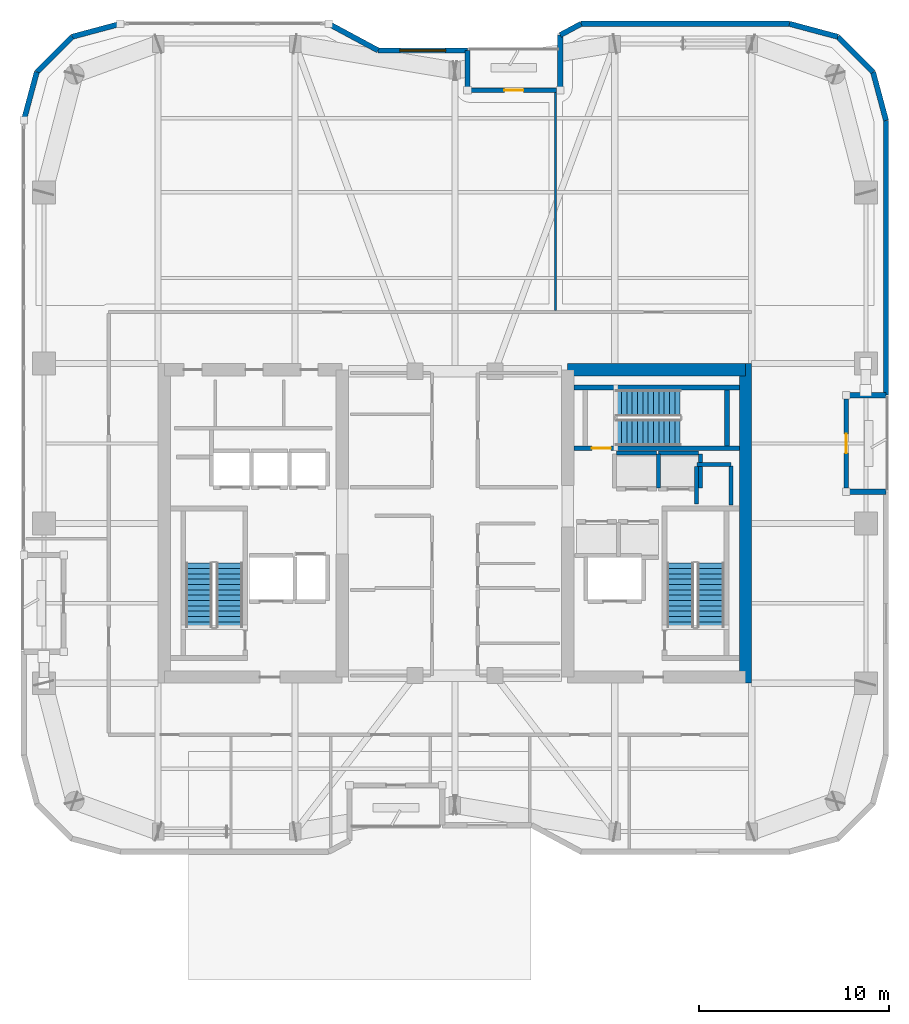
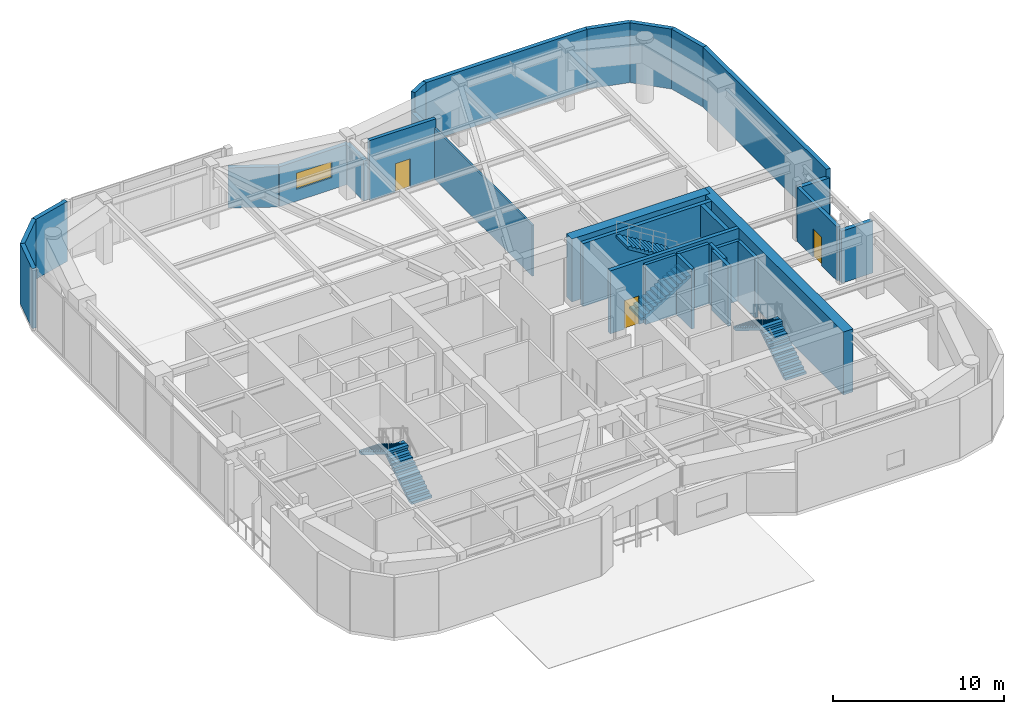
# One storey, part 14 of 18: 30 walls, 6 stair flights, 3 doors, 1 window, 4 openings, 3 elements without a shape of their own.
"""IFC4 building model written with IfcOpenShell, lengths in metres."""

from ifc_helpers import new_model, si_unit, direction, frame, frame_2d, origin, place, context, subcontext, project, spatial, polyline, rectangle, outline, extrude, material, layer, layer_set, type_object, element, fill, aggregate, save


model = new_model("IFC4")

# Units and contexts
model_context = context("Model", 3, precision=1e-05, world=origin(), true_north=direction((0.0, 1.0)))
body_context = subcontext(model_context, "Body", "Model", "MODEL_VIEW")
ifc_project = project(units=[si_unit("LENGTHUNIT", "METRE"), si_unit("AREAUNIT", "SQUARE_METRE"), si_unit("VOLUMEUNIT", "CUBIC_METRE"), si_unit("PLANEANGLEUNIT", "RADIAN"), si_unit("MASSUNIT", "GRAM", prefix="KILO")], contexts=[model_context])

# Site, building, storey
site_placement = place(None, origin())
site = spatial("IfcSite", under=ifc_project, at=site_placement, CompositionType="ELEMENT")
building_placement = place(site_placement, origin())
building = spatial("IfcBuilding", under=site, at=building_placement, Name="Kiyonajd Concourse Tower", CompositionType="ELEMENT")
storey_placement = place(building_placement, frame((0.0, 0.0, 214.800048828125)))
storey = spatial("IfcBuildingStorey", under=building, at=storey_placement, Name="L54", CompositionType="ELEMENT", Elevation=214.800048828125)

# Walls
ifc_material_1 = material(Name="Concrete C60/75", Category="concrete")
ifc_layer_1 = layer(ifc_material_1, 0.64990234375)
ifc_layer_set_1 = layer_set([ifc_layer_1], Name="Concrete C60/75")
wall_type_1 = type_object("IfcWallType", Name="WL-CORE-650", PredefinedType="SHEAR", material=ifc_layer_set_1)
wall_1_placement = place(storey_placement, frame((63.27490234375, 27.60009765625, 0.0), z_axis=(0.0, 0.0, 1.0), x_axis=(0.0, 1.0, 0.0)))
element("IfcWall", 1, at=wall_1_placement, inside=storey, type_object=wall_type_1, Name="L54 East Core Outer Shear Wall", PredefinedType="SHEAR", context=body_context, shape_type="SweptSolid", body=[
    extrude(rectangle(XDim=16.7998046875, YDim=0.64990234375, at=frame_2d((8.39990234375, 0.0))), origin(), (0.0, 0.0, 1.0), 4.5),
])
wall_2_placement = place(storey_placement, frame((53.925048828125, 44.074951171875, 0.0), z_axis=(0.0, 0.0, 1.0), x_axis=(1.0, 0.0, 0.0)))
element("IfcWall", 2, at=wall_2_placement, inside=storey, type_object=wall_type_1, Name="L54 East Core North Shear Wall", PredefinedType="SHEAR", context=body_context, shape_type="SweptSolid", body=[
    extrude(rectangle(XDim=9.349853515625, YDim=0.64990234375, at=frame_2d((4.6748046875, 0.0))), origin(), (0.0, 0.0, 1.0), 4.5),
])
ifc_material_2 = material(Name="Precast concrete C50/60", Category="concrete")
ifc_layer_2 = layer(ifc_material_2, 0.280029296875)
ifc_layer_set_2 = layer_set([ifc_layer_2], Name="Precast concrete C50/60")
wall_type_2 = type_object("IfcWallType", Name="WL-EXT-280", PredefinedType="SOLIDWALL", material=ifc_layer_set_2)
wall_3_placement = place(storey_placement, frame((25.340087890625, 57.181640625, 0.0), z_axis=(0.0, 0.0, 1.0), x_axis=(0.2588904131, 0.965906700466, 0.0)))
element("IfcWall", 3, at=wall_3_placement, inside=storey, type_object=wall_type_2, Name="L54 Exterior Concrete Frame Wall 06", PredefinedType="SOLIDWALL", context=body_context, shape_type="SweptSolid", body=[
    extrude(rectangle(XDim=2.6357421875, YDim=0.280029296875, at=frame_2d((1.31787109375, 0.0))), origin(), (0.0, 0.0, 1.0), 4.280029296875),
])
wall_4_placement = place(storey_placement, frame((26.0224609375, 59.7275390625, 0.0), z_axis=(0.0, 0.0, 1.0), x_axis=(0.707153437963, 0.707060121331, 0.0)))
element("IfcWall", 4, at=wall_4_placement, inside=storey, type_object=wall_type_2, Name="L54 Exterior Concrete Frame Wall 07", PredefinedType="SOLIDWALL", context=body_context, shape_type="SweptSolid", body=[
    extrude(rectangle(XDim=2.6162109375, YDim=0.280029296875, at=frame_2d((1.30810546875, 0.0))), origin(), (0.0, 0.0, 1.0), 4.280029296875),
])
wall_5_placement = place(storey_placement, frame((27.87255859375, 61.577392578125, 0.0), z_axis=(0.0, 0.0, 1.0), x_axis=(0.965883534663, 0.258976828051, 0.0)))
element("IfcWall", 5, at=wall_5_placement, inside=storey, type_object=wall_type_2, Name="L54 Exterior Concrete Frame Wall 08", PredefinedType="SOLIDWALL", context=body_context, shape_type="SweptSolid", body=[
    extrude(rectangle(XDim=2.6357421875, YDim=0.280029296875, at=frame_2d((1.31787109375, 0.0))), origin(), (0.0, 0.0, 1.0), 4.280029296875),
])
wall_6_placement = place(storey_placement, frame((41.36474609375, 62.260009765625, 0.0), z_axis=(0.0, 0.0, 1.0), x_axis=(0.880473754814, -0.474094892488, 0.0)))
element("IfcWall", 6, at=wall_6_placement, inside=storey, type_object=wall_type_2, Name="L54 Exterior Concrete Frame Wall 10", PredefinedType="SOLIDWALL", context=body_context, shape_type="SweptSolid", body=[
    extrude(rectangle(XDim=2.952880859375, YDim=0.280029296875, at=frame_2d((1.4765625, 0.0))), origin(), (0.0, 0.0, 1.0), 2.864990234375),
])

# Wall, opening, window
wall_7_placement = place(storey_placement, frame((43.964599609375, 60.860107421875, 0.0), z_axis=(0.0, 0.0, 1.0), x_axis=(1.0, 0.0, 0.0)))
wall_7 = element("IfcWall", 7, at=wall_7_placement, inside=storey, type_object=wall_type_2, Name="L54 Exterior Concrete Frame Wall 11", PredefinedType="SOLIDWALL", context=body_context, shape_type="SweptSolid", body=[
    extrude(rectangle(XDim=4.6953125, YDim=0.280029296875, at=frame_2d((2.34765625, 0.0))), origin(), (0.0, 0.0, 1.0), 2.864990234375),
])
opening_1_placement = place(wall_7_placement, frame((1.14794921875, 0.0, 0.85009765625)))
opening_1 = element("IfcOpeningElement", 8, at=opening_1_placement, cuts=wall_7, Name="Opening WN4", PredefinedType="OPENING", context=body_context, shape_type="SweptSolid", body=[
    extrude(rectangle(XDim=2.39990234375, YDim=1.14990234375, at=frame_2d((1.199951171875, 0.574951171875))), frame((0.0, 0.14990234375, 0.0), z_axis=(0.0, -1.0, 0.0), x_axis=(1.0, 0.0, 0.0)), (0.0, 0.0, 1.0), 0.300048828125),
])
ifc_material_3 = material(Name="Double Low-E Insulated Glass", Category="glass")
window_type = type_object("IfcWindowType", Name="WN-VIS-2400x1150", PartitioningType="SINGLE_PANEL", PredefinedType="WINDOW", material=ifc_material_3)
window_placement = place(opening_1_placement, origin())
window = element("IfcWindow", 9, at=window_placement, inside=storey, type_object=window_type, Name="L54 Modular Facade Vision Window 11", OverallHeight=1.14990234375, OverallWidth=2.39990234375, PartitioningType="SINGLE_PANEL", PredefinedType="WINDOW", context=body_context, shape_type="SweptSolid", body=[
    extrude(rectangle(XDim=2.39990234375, YDim=1.14990234375, at=frame_2d((1.199951171875, 0.574951171875))), frame((0.0, 0.030029296875, 0.0), z_axis=(0.0, -1.0, 0.0), x_axis=(1.0, 0.0, 0.0)), (0.0, 0.0, 1.0), 0.06005859375),
])
fill(opening_1, window)

# Walls
wall_8_placement = place(storey_placement, frame((48.659912109375, 60.860107421875, 0.0), z_axis=(0.0, 0.0, 1.0), x_axis=(0.0, -1.0, 0.0)))
element("IfcWall", 10, at=wall_8_placement, inside=storey, type_object=wall_type_2, Name="L54 Exterior Concrete Frame Wall 12", PredefinedType="SOLIDWALL", context=body_context, shape_type="SweptSolid", body=[
    extrude(rectangle(XDim=2.10009765625, YDim=0.280029296875, at=frame_2d((1.050048828125, 0.0))), origin(), (0.0, 0.0, 1.0), 2.864990234375),
])
wall_9_placement = place(storey_placement, frame((53.5400390625, 58.760009765625, 0.0), z_axis=(0.0, 0.0, 1.0), x_axis=(0.0, 1.0, 0.0)))
element("IfcWall", 11, at=wall_9_placement, inside=storey, type_object=wall_type_2, Name="L54 Exterior Concrete Frame Wall 14", PredefinedType="SOLIDWALL", context=body_context, shape_type="SweptSolid", body=[
    extrude(rectangle(XDim=2.910400390625, YDim=0.280029296875, at=frame_2d((1.455078125, 0.0))), origin(), (0.0, 0.0, 1.0), 2.864990234375),
])
wall_10_placement = place(storey_placement, frame((53.5400390625, 61.67041015625, 0.0), z_axis=(0.0, 0.0, 1.0), x_axis=(0.880515214249, 0.474017887296, 0.0)))
element("IfcWall", 12, at=wall_10_placement, inside=storey, type_object=wall_type_2, Name="L54 Exterior Concrete Frame Wall 15", PredefinedType="SOLIDWALL", context=body_context, shape_type="SweptSolid", body=[
    extrude(rectangle(XDim=1.243896484375, YDim=0.280029296875, at=frame_2d((0.6220703125, 0.0))), origin(), (0.0, 0.0, 1.0), 4.280029296875),
])
wall_11_placement = place(storey_placement, frame((54.63525390625, 62.260009765625, 0.0), z_axis=(0.0, 0.0, 1.0), x_axis=(1.0, 0.0, 0.0)))
element("IfcWall", 13, at=wall_11_placement, inside=storey, type_object=wall_type_2, Name="L54 Exterior Concrete Frame Wall 16", PredefinedType="SOLIDWALL", context=body_context, shape_type="SweptSolid", body=[
    extrude(rectangle(XDim=10.9462890625, YDim=0.280029296875, at=frame_2d((5.47314453125, 0.0))), origin(), (0.0, 0.0, 1.0), 4.280029296875),
])
wall_12_placement = place(storey_placement, frame((65.58154296875, 62.260009765625, 0.0), z_axis=(0.0, 0.0, 1.0), x_axis=(0.965883534663, -0.258976828051, 0.0)))
element("IfcWall", 14, at=wall_12_placement, inside=storey, type_object=wall_type_2, Name="L54 Exterior Concrete Frame Wall 17", PredefinedType="SOLIDWALL", context=body_context, shape_type="SweptSolid", body=[
    extrude(rectangle(XDim=2.6357421875, YDim=0.280029296875, at=frame_2d((1.31787109375, 0.0))), origin(), (0.0, 0.0, 1.0), 4.280029296875),
])
wall_13_placement = place(storey_placement, frame((68.12744140625, 61.577392578125, 0.0), z_axis=(0.0, 0.0, 1.0), x_axis=(0.707153437963, -0.707060121331, 0.0)))
element("IfcWall", 15, at=wall_13_placement, inside=storey, type_object=wall_type_2, Name="L54 Exterior Concrete Frame Wall 18", PredefinedType="SOLIDWALL", context=body_context, shape_type="SweptSolid", body=[
    extrude(rectangle(XDim=2.6162109375, YDim=0.280029296875, at=frame_2d((1.30810546875, 0.0))), origin(), (0.0, 0.0, 1.0), 4.280029296875),
])
wall_14_placement = place(storey_placement, frame((69.9775390625, 59.7275390625, 0.0), z_axis=(0.0, 0.0, 1.0), x_axis=(0.2588904131, -0.965906700466, 0.0)))
element("IfcWall", 16, at=wall_14_placement, inside=storey, type_object=wall_type_2, Name="L54 Exterior Concrete Frame Wall 19", PredefinedType="SOLIDWALL", context=body_context, shape_type="SweptSolid", body=[
    extrude(rectangle(XDim=2.6357421875, YDim=0.280029296875, at=frame_2d((1.31787109375, 0.0))), origin(), (0.0, 0.0, 1.0), 4.280029296875),
])
wall_15_placement = place(storey_placement, frame((70.659912109375, 57.181640625, 0.0), z_axis=(0.0, 0.0, 1.0), x_axis=(0.0, -1.0, 0.0)))
element("IfcWall", 17, at=wall_15_placement, inside=storey, type_object=wall_type_2, Name="L54 Exterior Concrete Frame Wall 20", PredefinedType="SOLIDWALL", context=body_context, shape_type="SweptSolid", body=[
    extrude(rectangle(XDim=14.441650390625, YDim=0.280029296875, at=frame_2d((7.220703125, 0.0))), origin(), (0.0, 0.0, 1.0), 4.280029296875),
])
for number, where, z_axis, x_axis, name in (
    (18, (70.659912109375, 42.739990234375, 0.0), (0.0, 0.0, 1.0), (-1.0, 0.0, 0.0), "L54 Exterior Concrete Frame Wall 21"),
    (19, (68.56005859375, 37.659912109375, 0.0), (0.0, 0.0, 1.0), (1.0, 0.0, 0.0), "L54 Exterior Concrete Frame Wall 23"),
):
    element("IfcWall", number, at=place(storey_placement, frame(where, z_axis=z_axis, x_axis=x_axis)), inside=storey, type_object=wall_type_2, Name=name, PredefinedType="SOLIDWALL", context=body_context, shape_type="SweptSolid", body=[
        extrude(rectangle(XDim=2.099853515625, YDim=0.280029296875, at=frame_2d((1.0498046875, 0.0))), origin(), (0.0, 0.0, 1.0), 3.716064453125),
    ])

# Wall, opening, door
ifc_layer_3 = layer(ifc_material_2, 0.239990234375)
ifc_layer_set_3 = layer_set([ifc_layer_3], Name="Precast concrete C50/60")
wall_type_3 = type_object("IfcWallType", Name="WL-LOG-240", PredefinedType="SOLIDWALL", material=ifc_layer_set_3)
wall_16_placement = place(storey_placement, frame((48.85498046875, 58.760009765625, 0.0), z_axis=(0.0, 0.0, 1.0), x_axis=(1.0, 0.0, 0.0)))
wall_16 = element("IfcWall", 20, at=wall_16_placement, inside=storey, type_object=wall_type_3, Name="L54 Recessed Loggia Thermal Wall LOG-N", PredefinedType="SOLIDWALL", context=body_context, shape_type="SweptSolid", body=[
    extrude(rectangle(XDim=4.489990234375, YDim=0.239990234375, at=frame_2d((2.2451171875, 0.0))), origin(), (0.0, 0.0, 1.0), 4.280029296875),
])
opening_2_placement = place(wall_16_placement, frame((1.7451171875, 0.0, 0.0)))
opening_2 = element("IfcOpeningElement", 21, at=opening_2_placement, cuts=wall_16, Name="Opening DL1", PredefinedType="OPENING", context=body_context, shape_type="SweptSolid", body=[
    extrude(rectangle(XDim=1.0, YDim=2.02001953125, at=frame_2d((0.5, 1.010009765625))), frame((0.0, 0.1298828125, 0.0), z_axis=(0.0, -1.0, 0.0), x_axis=(1.0, 0.0, 0.0)), (0.0, 0.0, 1.0), 0.260009765625),
])
ifc_material_4 = material(Name="Thermally Broken Anodised Aluminium", Category="aluminium")
door_type_1 = type_object("IfcDoorType", Name="DR-LOG-1000", OperationType="NOTDEFINED", PredefinedType="DOOR", material=ifc_material_4)
door_1_placement = place(opening_2_placement, origin())
door_1 = element("IfcDoor", 22, at=door_1_placement, inside=storey, type_object=door_type_1, Name="L54 Engawa Loggia Access Door LOG-N", OperationType="SINGLE_SWING_RIGHT", OverallHeight=2.02001953125, OverallWidth=1.0, PredefinedType="DOOR", context=body_context, shape_type="SweptSolid", body=[
    extrude(rectangle(XDim=1.0, YDim=2.02001953125, at=frame_2d((0.5, 1.010009765625))), frame((0.0, 0.02490234375, 0.0), z_axis=(0.0, -1.0, 0.0), x_axis=(1.0, 0.0, 0.0)), (0.0, 0.0, 1.0), 0.050048828125),
])
fill(opening_2, door_1)

wall_17_placement = place(storey_placement, frame((68.56005859375, 42.544921875, 0.0), z_axis=(0.0, 0.0, 1.0), x_axis=(0.0, -1.0, 0.0)))
wall_17 = element("IfcWall", 23, at=wall_17_placement, inside=storey, type_object=wall_type_3, Name="L54 Recessed Loggia Thermal Wall LOG-E", PredefinedType="SOLIDWALL", context=body_context, shape_type="SweptSolid", body=[
    extrude(rectangle(XDim=4.68994140625, YDim=0.239990234375, at=frame_2d((2.344970703125, 0.0))), origin(), (0.0, 0.0, 1.0), 3.847900390625),
])
opening_3_placement = place(wall_17_placement, frame((1.844970703125, 0.0, 0.0)))
opening_3 = element("IfcOpeningElement", 24, at=opening_3_placement, cuts=wall_17, Name="Opening DL1", PredefinedType="OPENING", context=body_context, shape_type="SweptSolid", body=[
    extrude(rectangle(XDim=1.0, YDim=2.02001953125, at=frame_2d((0.5, 1.010009765625))), frame((0.0, 0.1298828125, 0.0), z_axis=(0.0, -1.0, 0.0), x_axis=(1.0, 0.0, 0.0)), (0.0, 0.0, 1.0), 0.260009765625),
])
door_2_placement = place(opening_3_placement, origin())
door_2 = element("IfcDoor", 25, at=door_2_placement, inside=storey, type_object=door_type_1, Name="L54 Engawa Loggia Access Door LOG-E", OperationType="SINGLE_SWING_LEFT", OverallHeight=2.02001953125, OverallWidth=1.0, PredefinedType="DOOR", context=body_context, shape_type="SweptSolid", body=[
    extrude(rectangle(XDim=1.0, YDim=2.02001953125, at=frame_2d((0.5, 1.010009765625))), frame((0.0, 0.02490234375, 0.0), z_axis=(0.0, -1.0, 0.0), x_axis=(1.0, 0.0, 0.0)), (0.0, 0.0, 1.0), 0.050048828125),
])
fill(opening_3, door_2)

# Walls
ifc_material_5 = material(Name="Gypsum Board on Cold-Formed Steel Stud", Category="steel")
ifc_layer_4 = layer(ifc_material_5, 0.125)
ifc_layer_set_4 = layer_set([ifc_layer_4], Name="Gypsum Board on Cold-Formed Steel Stud")
wall_type_4 = type_object("IfcWallType", Name="WL-PART-125", PredefinedType="PARTITIONING", material=ifc_layer_set_4)
wall_18_placement = place(storey_placement, frame((53.2900390625, 47.197021484375, 0.0), z_axis=(0.0, 0.0, 1.0), x_axis=(0.0, 1.0, 0.0)))
element("IfcWall", 26, at=wall_18_placement, inside=storey, type_object=wall_type_4, Name="L54 Interior Partition Wall", PredefinedType="PARTITIONING", context=body_context, shape_type="SweptSolid", body=[
    extrude(rectangle(XDim=11.447998046875, YDim=0.125, at=frame_2d((5.72412109375, 0.0))), origin(), (0.0, 0.0, 1.0), 3.64306640625),
])
ifc_layer_5 = layer(ifc_material_5, 0.2099609375)
ifc_layer_set_5 = layer_set([ifc_layer_5], Name="Gypsum Board on Cold-Formed Steel Stud")
wall_type_5 = type_object("IfcWallType", Name="WL-SHAFT-210", PredefinedType="PARTITIONING", material=ifc_layer_set_5)
wall_19_placement = place(storey_placement, frame((60.719970703125, 39.10009765625, 0.0), z_axis=(0.0, 0.0, 1.0), x_axis=(1.0, 0.0, 0.0)))
element("IfcWall", 27, at=wall_19_placement, inside=storey, type_object=wall_type_5, Name="L54 Shaft Enclosure Wall", PredefinedType="PARTITIONING", context=body_context, shape_type="SweptSolid", body=[
    extrude(rectangle(XDim=1.800048828125, YDim=0.2099609375, at=frame_2d((0.89990234375, 0.0))), origin(), (0.0, 0.0, 1.0), 4.280029296875),
])
wall_20_placement = place(storey_placement, frame((60.699951171875, 37.02001953125, 0.0), z_axis=(0.0, 0.0, 1.0), x_axis=(0.0, 1.0, 0.0)))
element("IfcWall", 28, at=wall_20_placement, inside=storey, type_object=wall_type_5, Name="L54 Shaft Enclosure Wall", PredefinedType="PARTITIONING", context=body_context, shape_type="SweptSolid", body=[
    extrude(rectangle(XDim=1.9599609375, YDim=0.2099609375, at=frame_2d((0.97998046875, 0.0))), origin(), (0.0, 0.0, 1.0), 4.280029296875),
])
wall_21_placement = place(storey_placement, frame((62.5, 36.97998046875, 0.0), z_axis=(0.0, 0.0, 1.0), x_axis=(0.0, 1.0, 0.0)))
element("IfcWall", 29, at=wall_21_placement, inside=storey, type_object=wall_type_5, Name="L54 Shaft Enclosure Wall", PredefinedType="PARTITIONING", context=body_context, shape_type="SweptSolid", body=[
    extrude(rectangle(XDim=2.0400390625, YDim=0.2099609375, at=frame_2d((1.02001953125, 0.0))), origin(), (0.0, 0.0, 1.0), 4.280029296875),
])
wall_22_placement = place(storey_placement, frame((56.5, 39.699951171875, 0.0), z_axis=(0.0, 0.0, 1.0), x_axis=(1.0, 0.0, 0.0)))
element("IfcWall", 30, at=wall_22_placement, inside=storey, type_object=wall_type_5, Name="L54 Shaft Enclosure Wall", PredefinedType="PARTITIONING", context=body_context, shape_type="SweptSolid", body=[
    extrude(rectangle(XDim=2.10009765625, YDim=0.2099609375, at=frame_2d((1.050048828125, 0.0))), origin(), (0.0, 0.0, 1.0), 4.280029296875),
])
wall_23_placement = place(storey_placement, frame((58.699951171875, 37.860107421875, 0.0), z_axis=(0.0, 0.0, 1.0), x_axis=(0.0, 1.0, 0.0)))
element("IfcWall", 31, at=wall_23_placement, inside=storey, type_object=wall_type_5, Name="L54 Shaft Enclosure Wall", PredefinedType="PARTITIONING", context=body_context, shape_type="SweptSolid", body=[
    extrude(rectangle(XDim=1.77978515625, YDim=0.2099609375, at=frame_2d((0.889892578125, 0.0))), origin(), (0.0, 0.0, 1.0), 4.280029296875),
])
wall_24_placement = place(storey_placement, frame((58.699951171875, 39.699951171875, 0.0), z_axis=(0.0, 0.0, 1.0), x_axis=(1.0, 0.0, 0.0)))
element("IfcWall", 32, at=wall_24_placement, inside=storey, type_object=wall_type_5, Name="L54 Shaft Enclosure Wall", PredefinedType="PARTITIONING", context=body_context, shape_type="SweptSolid", body=[
    extrude(rectangle(XDim=2.10009765625, YDim=0.2099609375, at=frame_2d((1.050048828125, 0.0))), origin(), (0.0, 0.0, 1.0), 4.280029296875),
])
wall_25_placement = place(storey_placement, frame((60.89990234375, 37.860107421875, 0.0), z_axis=(0.0, 0.0, 1.0), x_axis=(0.0, 1.0, 0.0)))
element("IfcWall", 33, at=wall_25_placement, inside=storey, type_object=wall_type_5, Name="L54 Shaft Enclosure Wall", PredefinedType="PARTITIONING", context=body_context, shape_type="SweptSolid", body=[
    extrude(rectangle(XDim=1.77978515625, YDim=0.2099609375, at=frame_2d((0.889892578125, 0.0))), origin(), (0.0, 0.0, 1.0), 4.280029296875),
])

# Wall, opening, door
ifc_material_6 = material(Name="Concrete C50/60", Category="concrete")
ifc_layer_6 = layer(ifc_material_6, 0.260009765625)
ifc_layer_set_6 = layer_set([ifc_layer_6], Name="Concrete C50/60")
wall_type_6 = type_object("IfcWallType", Name="WL-STAIR-260", PredefinedType="SHEAR", material=ifc_layer_set_6)
wall_26_placement = place(storey_placement, frame((54.25, 39.949951171875, 0.0), z_axis=(0.0, 0.0, 1.0), x_axis=(1.0, 0.0, 0.0)))
wall_26 = element("IfcWall", 34, at=wall_26_placement, inside=storey, type_object=wall_type_6, Name="L54 Stair ST3 Structural South Wall", PredefinedType="SHEAR", context=body_context, shape_type="SweptSolid", body=[
    extrude(rectangle(XDim=8.699951171875, YDim=0.260009765625, at=frame_2d((4.35009765625, 0.0))), origin(), (0.0, 0.0, 1.0), 4.5),
])
opening_4_placement = place(wall_26_placement, frame((0.949951171875, 0.0, 0.0)))
opening_4 = element("IfcOpeningElement", 35, at=opening_4_placement, cuts=wall_26, Name="Opening DF1", PredefinedType="OPENING", context=body_context, shape_type="SweptSolid", body=[
    extrude(rectangle(XDim=1.0, YDim=2.0400390625, at=frame_2d((0.5, 1.02001953125))), frame((0.0, 0.139892578125, 0.0), z_axis=(0.0, -1.0, 0.0), x_axis=(1.0, 0.0, 0.0)), (0.0, 0.0, 1.0), 0.280029296875),
])
ifc_material_7 = material(Name="Brushed Stainless Steel Cab Assembly", Category="steel")
door_type_2 = type_object("IfcDoorType", Name="DR-FD90-1000", OperationType="NOTDEFINED", PredefinedType="DOOR", material=ifc_material_7)
door_3_placement = place(opening_4_placement, origin())
door_3 = element("IfcDoor", 36, at=door_3_placement, inside=storey, type_object=door_type_2, Name="L54 Stair ST3 Enclosure Door", OperationType="SINGLE_SWING_LEFT", OverallHeight=2.0400390625, OverallWidth=1.0, PredefinedType="DOOR", context=body_context, shape_type="SweptSolid", body=[
    extrude(rectangle(XDim=1.0, YDim=2.0400390625, at=frame_2d((0.5, 1.02001953125))), frame((0.0, 0.02490234375, 0.0), z_axis=(0.0, -1.0, 0.0), x_axis=(1.0, 0.0, 0.0)), (0.0, 0.0, 1.0), 0.050048828125),
])
fill(opening_4, door_3)

# Walls
wall_27_placement = place(storey_placement, frame((54.25, 43.14990234375, 0.0), z_axis=(0.0, 0.0, 1.0), x_axis=(1.0, 0.0, 0.0)))
element("IfcWall", 37, at=wall_27_placement, inside=storey, type_object=wall_type_6, Name="L54 Stair ST3 Structural North Wall", PredefinedType="SHEAR", context=body_context, shape_type="SweptSolid", body=[
    extrude(rectangle(XDim=8.699951171875, YDim=0.260009765625, at=frame_2d((4.35009765625, 0.0))), origin(), (0.0, 0.0, 1.0), 4.5),
])
wall_28_placement = place(storey_placement, frame((62.31005859375, 40.080078125, 0.0), z_axis=(0.0, 0.0, 1.0), x_axis=(0.0, 1.0, 0.0)))
element("IfcWall", 38, at=wall_28_placement, inside=storey, type_object=wall_type_6, Name="L54 Stair ST3 Structural East Wall", PredefinedType="SHEAR", context=body_context, shape_type="SweptSolid", body=[
    extrude(rectangle(XDim=2.93994140625, YDim=0.260009765625, at=frame_2d((1.469970703125, 0.0))), origin(), (0.0, 0.0, 1.0), 4.5),
])

# Stair, stair flights
ifc_material_8 = material(Name="Concrete C40/50", Category="concrete")
stair_type = type_object("IfcStairType", Name="ST-DLG-26R", PredefinedType="HALF_TURN_STAIR", material=ifc_material_8)
stair_1_placement = place(storey_placement, origin())
stair_1 = element("IfcStair", 39, at=stair_1_placement, inside=storey, type_object=stair_type, Name="L54 Protected Exit Stair ST1", PredefinedType="HALF_TURN_STAIR")
stair_flight_type = type_object("IfcStairFlightType", Name="SF-STR-26R", PredefinedType="STRAIGHT", material=ifc_material_8)
stair_flight_1_placement = place(storey_placement, frame((36.14990234375, 30.550048828125, 0.0), z_axis=(0.0, 0.0, 1.0), x_axis=(0.0, 1.0, 0.0)))
stair_flight_1 = element("IfcStairFlight", 40, at=stair_flight_1_placement, type_object=stair_flight_type, Name="ST1 flight 1", NumberOfRisers=13, NumberOfTreads=12, PredefinedType="STRAIGHT", RiserHeight=0.173076923, TreadLength=0.28, context=body_context, shape_type="SweptSolid", body=[
    extrude(outline(polyline([(0.0, 0.0), (0.0, 0.173095703125), (0.280029296875, 0.173095703125), (0.280029296875, 0.34619140625), (0.56005859375, 0.34619140625), (0.56005859375, 0.519287109375), (0.840087890625, 0.519287109375), (0.840087890625, 0.6923828125), (1.1201171875, 0.6923828125), (1.1201171875, 0.865478515625), (1.39990234375, 0.865478515625), (1.39990234375, 1.03857421875), (1.679931640625, 1.03857421875), (1.679931640625, 1.21142578125), (1.9599609375, 1.21142578125), (1.9599609375, 1.384521484375), (2.239990234375, 1.384521484375), (2.239990234375, 1.5576171875), (2.52001953125, 1.5576171875), (2.52001953125, 1.730712890625), (2.800048828125, 1.730712890625), (2.800048828125, 1.90380859375), (3.080078125, 1.90380859375), (3.080078125, 2.076904296875), (3.360107421875, 2.076904296875), (3.360107421875, 2.25), (3.360107421875, 1.900634765625), (0.28515625, 0.0), (0.0, 0.0)])), frame((0.0, 0.699951171875, 0.0), z_axis=(0.0, -1.0, 0.0), x_axis=(1.0, 0.0, 0.0)), (0.0, 0.0, 1.0), 1.39990234375),
])
stair_flight_2_placement = place(storey_placement, frame((34.550048828125, 33.909912109375, 2.25), z_axis=(0.0, 0.0, 1.0), x_axis=(0.0, -1.0, 0.0)))
stair_flight_2 = element("IfcStairFlight", 41, at=stair_flight_2_placement, type_object=stair_flight_type, Name="ST1 flight 2", NumberOfRisers=13, NumberOfTreads=12, PredefinedType="STRAIGHT", RiserHeight=0.173076923, TreadLength=0.28, context=body_context, shape_type="SweptSolid", body=[
    extrude(outline(polyline([(0.0, 0.0), (0.0, 0.173095703125), (0.280029296875, 0.173095703125), (0.280029296875, 0.34619140625), (0.56005859375, 0.34619140625), (0.56005859375, 0.519287109375), (0.840087890625, 0.519287109375), (0.840087890625, 0.6923828125), (1.1201171875, 0.6923828125), (1.1201171875, 0.865478515625), (1.39990234375, 0.865478515625), (1.39990234375, 1.03857421875), (1.679931640625, 1.03857421875), (1.679931640625, 1.21142578125), (1.9599609375, 1.21142578125), (1.9599609375, 1.384521484375), (2.239990234375, 1.384521484375), (2.239990234375, 1.5576171875), (2.52001953125, 1.5576171875), (2.52001953125, 1.730712890625), (2.800048828125, 1.730712890625), (2.800048828125, 1.90380859375), (3.080078125, 1.90380859375), (3.080078125, 2.076904296875), (3.360107421875, 2.076904296875), (3.360107421875, 2.25), (3.360107421875, 1.900634765625), (0.28515625, 0.0), (0.0, 0.0)])), frame((0.0, 0.699951171875, 0.0), z_axis=(0.0, -1.0, 0.0), x_axis=(1.0, 0.0, 0.0)), (0.0, 0.0, 1.0), 1.39990234375),
])
aggregate(stair_1, [stair_flight_1, stair_flight_2])

stair_2_placement = place(storey_placement, origin())
stair_2 = element("IfcStair", 42, at=stair_2_placement, inside=storey, type_object=stair_type, Name="L54 Protected Exit Stair ST2", PredefinedType="HALF_TURN_STAIR")
stair_flight_3_placement = place(storey_placement, frame((61.449951171875, 30.550048828125, 0.0), z_axis=(0.0, 0.0, 1.0), x_axis=(0.0, 1.0, 0.0)))
stair_flight_3 = element("IfcStairFlight", 43, at=stair_flight_3_placement, type_object=stair_flight_type, Name="ST2 flight 1", NumberOfRisers=13, NumberOfTreads=12, PredefinedType="STRAIGHT", RiserHeight=0.173076923, TreadLength=0.28, context=body_context, shape_type="SweptSolid", body=[
    extrude(outline(polyline([(0.0, 0.0), (0.0, 0.173095703125), (0.280029296875, 0.173095703125), (0.280029296875, 0.34619140625), (0.56005859375, 0.34619140625), (0.56005859375, 0.519287109375), (0.840087890625, 0.519287109375), (0.840087890625, 0.6923828125), (1.1201171875, 0.6923828125), (1.1201171875, 0.865478515625), (1.39990234375, 0.865478515625), (1.39990234375, 1.03857421875), (1.679931640625, 1.03857421875), (1.679931640625, 1.21142578125), (1.9599609375, 1.21142578125), (1.9599609375, 1.384521484375), (2.239990234375, 1.384521484375), (2.239990234375, 1.5576171875), (2.52001953125, 1.5576171875), (2.52001953125, 1.730712890625), (2.800048828125, 1.730712890625), (2.800048828125, 1.90380859375), (3.080078125, 1.90380859375), (3.080078125, 2.076904296875), (3.360107421875, 2.076904296875), (3.360107421875, 2.25), (3.360107421875, 1.900634765625), (0.28515625, 0.0), (0.0, 0.0)])), frame((0.0, 0.699951171875, 0.0), z_axis=(0.0, -1.0, 0.0), x_axis=(1.0, 0.0, 0.0)), (0.0, 0.0, 1.0), 1.39990234375),
])
stair_flight_4_placement = place(storey_placement, frame((59.85009765625, 33.909912109375, 2.25), z_axis=(0.0, 0.0, 1.0), x_axis=(0.0, -1.0, 0.0)))
stair_flight_4 = element("IfcStairFlight", 44, at=stair_flight_4_placement, type_object=stair_flight_type, Name="ST2 flight 2", NumberOfRisers=13, NumberOfTreads=12, PredefinedType="STRAIGHT", RiserHeight=0.173076923, TreadLength=0.28, context=body_context, shape_type="SweptSolid", body=[
    extrude(outline(polyline([(0.0, 0.0), (0.0, 0.173095703125), (0.280029296875, 0.173095703125), (0.280029296875, 0.34619140625), (0.56005859375, 0.34619140625), (0.56005859375, 0.519287109375), (0.840087890625, 0.519287109375), (0.840087890625, 0.6923828125), (1.1201171875, 0.6923828125), (1.1201171875, 0.865478515625), (1.39990234375, 0.865478515625), (1.39990234375, 1.03857421875), (1.679931640625, 1.03857421875), (1.679931640625, 1.21142578125), (1.9599609375, 1.21142578125), (1.9599609375, 1.384521484375), (2.239990234375, 1.384521484375), (2.239990234375, 1.5576171875), (2.52001953125, 1.5576171875), (2.52001953125, 1.730712890625), (2.800048828125, 1.730712890625), (2.800048828125, 1.90380859375), (3.080078125, 1.90380859375), (3.080078125, 2.076904296875), (3.360107421875, 2.076904296875), (3.360107421875, 2.25), (3.360107421875, 1.900634765625), (0.28515625, 0.0), (0.0, 0.0)])), frame((0.0, 0.699951171875, 0.0), z_axis=(0.0, -1.0, 0.0), x_axis=(1.0, 0.0, 0.0)), (0.0, 0.0, 1.0), 1.39990234375),
])
aggregate(stair_2, [stair_flight_3, stair_flight_4])

stair_3_placement = place(storey_placement, origin())
stair_3 = element("IfcStair", 45, at=stair_3_placement, inside=storey, type_object=stair_type, Name="L54 Protected Exit Stair ST3", PredefinedType="HALF_TURN_STAIR")
stair_flight_5_placement = place(storey_placement, frame((56.47998046875, 40.780029296875, 0.0), z_axis=(0.0, 0.0, 1.0), x_axis=(1.0, 0.0, 0.0)))
stair_flight_5 = element("IfcStairFlight", 46, at=stair_flight_5_placement, type_object=stair_flight_type, Name="ST3 flight 1", NumberOfRisers=13, NumberOfTreads=12, PredefinedType="STRAIGHT", RiserHeight=0.173076923, TreadLength=0.28, context=body_context, shape_type="SweptSolid", body=[
    extrude(outline(polyline([(0.0, 0.0), (0.0, 0.173095703125), (0.280029296875, 0.173095703125), (0.280029296875, 0.34619140625), (0.56005859375, 0.34619140625), (0.56005859375, 0.519287109375), (0.840087890625, 0.519287109375), (0.840087890625, 0.6923828125), (1.1201171875, 0.6923828125), (1.1201171875, 0.865478515625), (1.39990234375, 0.865478515625), (1.39990234375, 1.03857421875), (1.679931640625, 1.03857421875), (1.679931640625, 1.21142578125), (1.9599609375, 1.21142578125), (1.9599609375, 1.384521484375), (2.239990234375, 1.384521484375), (2.239990234375, 1.5576171875), (2.52001953125, 1.5576171875), (2.52001953125, 1.730712890625), (2.800048828125, 1.730712890625), (2.800048828125, 1.90380859375), (3.080078125, 1.90380859375), (3.080078125, 2.076904296875), (3.360107421875, 2.076904296875), (3.360107421875, 2.25), (3.360107421875, 1.900634765625), (0.28515625, 0.0), (0.0, 0.0)])), frame((0.0, 0.699951171875, 0.0), z_axis=(0.0, -1.0, 0.0), x_axis=(1.0, 0.0, 0.0)), (0.0, 0.0, 1.0), 1.39990234375),
])
stair_flight_6_placement = place(storey_placement, frame((59.840087890625, 42.320068359375, 2.25), z_axis=(0.0, 0.0, 1.0), x_axis=(-1.0, 0.0, 0.0)))
stair_flight_6 = element("IfcStairFlight", 47, at=stair_flight_6_placement, type_object=stair_flight_type, Name="ST3 flight 2", NumberOfRisers=13, NumberOfTreads=12, PredefinedType="STRAIGHT", RiserHeight=0.173076923, TreadLength=0.28, context=body_context, shape_type="SweptSolid", body=[
    extrude(outline(polyline([(0.0, 0.0), (0.0, 0.173095703125), (0.280029296875, 0.173095703125), (0.280029296875, 0.34619140625), (0.56005859375, 0.34619140625), (0.56005859375, 0.519287109375), (0.840087890625, 0.519287109375), (0.840087890625, 0.6923828125), (1.1201171875, 0.6923828125), (1.1201171875, 0.865478515625), (1.39990234375, 0.865478515625), (1.39990234375, 1.03857421875), (1.679931640625, 1.03857421875), (1.679931640625, 1.21142578125), (1.9599609375, 1.21142578125), (1.9599609375, 1.384521484375), (2.239990234375, 1.384521484375), (2.239990234375, 1.5576171875), (2.52001953125, 1.5576171875), (2.52001953125, 1.730712890625), (2.800048828125, 1.730712890625), (2.800048828125, 1.90380859375), (3.080078125, 1.90380859375), (3.080078125, 2.076904296875), (3.360107421875, 2.076904296875), (3.360107421875, 2.25), (3.360107421875, 1.900634765625), (0.28515625, 0.0), (0.0, 0.0)])), frame((0.0, 0.699951171875, 0.0), z_axis=(0.0, -1.0, 0.0), x_axis=(1.0, 0.0, 0.0)), (0.0, 0.0, 1.0), 1.39990234375),
])
aggregate(stair_3, [stair_flight_5, stair_flight_6])

save(model, "model.ifc")
